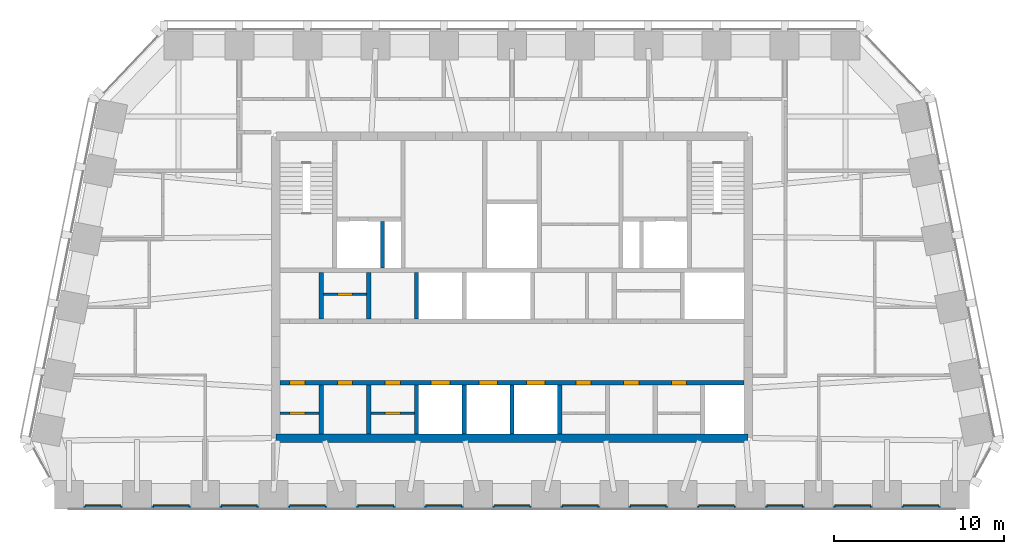
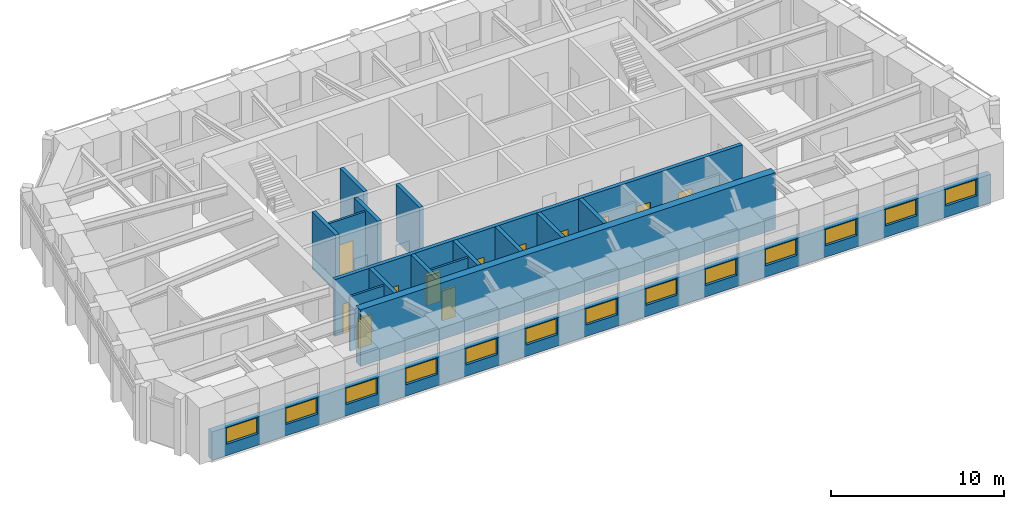
# One storey, part 4 of 9: 16 walls, 13 windows, 12 doors, 25 openings.
"""IFC4 building model written with IfcOpenShell, lengths in metres."""

from ifc_helpers import new_model, si_unit, direction, frame, frame_2d, origin, place, context, subcontext, project, spatial, rectangle, extrude, material, layer, layer_set, type_object, element, fill, save


model = new_model("IFC4")

# Units and contexts
model_context = context("Model", 3, precision=1e-05, world=origin(), true_north=direction((0.0, 1.0)))
body_context = subcontext(model_context, "Body", "Model", "MODEL_VIEW")
ifc_project = project(units=[si_unit("LENGTHUNIT", "METRE"), si_unit("AREAUNIT", "SQUARE_METRE"), si_unit("VOLUMEUNIT", "CUBIC_METRE"), si_unit("PLANEANGLEUNIT", "RADIAN"), si_unit("MASSUNIT", "GRAM", prefix="KILO")], contexts=[model_context])

# Site, building, storey
site_placement = place(None, origin())
site = spatial("IfcSite", under=ifc_project, at=site_placement, CompositionType="ELEMENT")
building_placement = place(site_placement, origin())
building = spatial("IfcBuilding", under=site, at=building_placement, Name="Isbrekke Arena Tower", CompositionType="ELEMENT")
storey_placement = place(building_placement, frame((0.0, 0.0, 316.0)))
storey = spatial("IfcBuildingStorey", under=building, at=storey_placement, Name="L74", CompositionType="ELEMENT", Elevation=316.0)

# Wall
ifc_material_1 = material(Name="Concrete B55 (C55/67)", Category="concrete")
ifc_layer_1 = layer(ifc_material_1, 0.5)
ifc_layer_set_1 = layer_set([ifc_layer_1], Name="CW5 CORE WALL 500")
wall_type_1 = type_object("IfcWallType", Name="CW5 CORE WALL 500", PredefinedType="SHEAR", material=ifc_layer_set_1)
wall_1_placement = place(storey_placement, frame((-13.85009765625, 6.14990234375, 0.0), z_axis=(0.0, 0.0, 1.0), x_axis=(1.0, 0.0, 0.0)))
element("IfcWall", 1, at=wall_1_placement, inside=storey, type_object=wall_type_1, Name="Core wall S L74", PredefinedType="SHEAR", context=body_context, shape_type="SweptSolid", body=[
    extrude(rectangle(XDim=27.7001953125, YDim=0.5, at=frame_2d((13.85009765625, 0.0))), origin(), (0.0, 0.0, 1.0), 4.0),
])

# Wall, openings, doors
ifc_material_2 = material(Name="Concrete B45 (C45/55)", Category="concrete")
ifc_layer_2 = layer(ifc_material_2, 0.25)
ifc_layer_set_2 = layer_set([ifc_layer_2], Name="CW6 SHAFT WALL 250")
wall_type_2 = type_object("IfcWallType", Name="CW6 SHAFT WALL 250", PredefinedType="SHEAR", material=ifc_layer_set_2)
wall_2_placement = place(storey_placement, frame((-13.60009765625, 9.39990234375, 0.0), z_axis=(0.0, 0.0, 1.0), x_axis=(1.0, 0.0, 0.0)))
wall_2 = element("IfcWall", 2, at=wall_2_placement, inside=storey, type_object=wall_type_2, Name="Core wall LS L74", PredefinedType="SHEAR", context=body_context, shape_type="SweptSolid", body=[
    extrude(rectangle(XDim=27.2001953125, YDim=0.25, at=frame_2d((13.60009765625, 0.0))), origin(), (0.0, 0.0, 1.0), 4.0),
])
opening_1_placement = place(wall_2_placement, frame((8.85009765625, 0.0, 0.0)))
opening_1 = element("IfcOpeningElement", 3, at=opening_1_placement, cuts=wall_2, Name="Opening LD1", PredefinedType="OPENING", context=body_context, shape_type="SweptSolid", body=[
    extrude(rectangle(XDim=1.10009765625, YDim=2.10009765625, at=frame_2d((0.550048828125, 1.050048828125))), frame((0.0, 0.139892578125, 0.0), z_axis=(0.0, -1.0, 0.0), x_axis=(1.0, 0.0, 0.0)), (0.0, 0.0, 1.0), 0.27978515625),
])
opening_2_placement = place(wall_2_placement, frame((11.64990234375, 0.0, 0.0)))
opening_2 = element("IfcOpeningElement", 4, at=opening_2_placement, cuts=wall_2, Name="Opening LD1", PredefinedType="OPENING", context=body_context, shape_type="SweptSolid", body=[
    extrude(rectangle(XDim=1.10009765625, YDim=2.10009765625, at=frame_2d((0.550048828125, 1.050048828125))), frame((0.0, 0.139892578125, 0.0), z_axis=(0.0, -1.0, 0.0), x_axis=(1.0, 0.0, 0.0)), (0.0, 0.0, 1.0), 0.27978515625),
])
opening_3_placement = place(wall_2_placement, frame((14.449951171875, 0.0, 0.0)))
opening_3 = element("IfcOpeningElement", 5, at=opening_3_placement, cuts=wall_2, Name="Opening LD1", PredefinedType="OPENING", context=body_context, shape_type="SweptSolid", body=[
    extrude(rectangle(XDim=1.10009765625, YDim=2.10009765625, at=frame_2d((0.550048828125, 1.050048828125))), frame((0.0, 0.139892578125, 0.0), z_axis=(0.0, -1.0, 0.0), x_axis=(1.0, 0.0, 0.0)), (0.0, 0.0, 1.0), 0.27978515625),
])
opening_4_placement = place(wall_2_placement, frame((0.550048828125, 0.0, 0.0)))
opening_4 = element("IfcOpeningElement", 6, at=opening_4_placement, cuts=wall_2, Name="Opening D5", PredefinedType="OPENING", context=body_context, shape_type="SweptSolid", body=[
    extrude(rectangle(XDim=0.89990234375, YDim=2.10009765625, at=frame_2d((0.449951171875, 1.050048828125))), frame((0.0, 0.139892578125, 0.0), z_axis=(0.0, -1.0, 0.0), x_axis=(1.0, 0.0, 0.0)), (0.0, 0.0, 1.0), 0.27978515625),
])
opening_5_placement = place(wall_2_placement, frame((3.35009765625, 0.0, 0.0)))
opening_5 = element("IfcOpeningElement", 7, at=opening_5_placement, cuts=wall_2, Name="Opening D5", PredefinedType="OPENING", context=body_context, shape_type="SweptSolid", body=[
    extrude(rectangle(XDim=0.89990234375, YDim=2.10009765625, at=frame_2d((0.449951171875, 1.050048828125))), frame((0.0, 0.139892578125, 0.0), z_axis=(0.0, -1.0, 0.0), x_axis=(1.0, 0.0, 0.0)), (0.0, 0.0, 1.0), 0.27978515625),
])
opening_6_placement = place(wall_2_placement, frame((6.14990234375, 0.0, 0.0)))
opening_6 = element("IfcOpeningElement", 8, at=opening_6_placement, cuts=wall_2, Name="Opening D5", PredefinedType="OPENING", context=body_context, shape_type="SweptSolid", body=[
    extrude(rectangle(XDim=0.89990234375, YDim=2.10009765625, at=frame_2d((0.449951171875, 1.050048828125))), frame((0.0, 0.139892578125, 0.0), z_axis=(0.0, -1.0, 0.0), x_axis=(1.0, 0.0, 0.0)), (0.0, 0.0, 1.0), 0.27978515625),
])
opening_7_placement = place(wall_2_placement, frame((17.35009765625, 0.0, 0.0)))
opening_7 = element("IfcOpeningElement", 9, at=opening_7_placement, cuts=wall_2, Name="Opening D5", PredefinedType="OPENING", context=body_context, shape_type="SweptSolid", body=[
    extrude(rectangle(XDim=0.89990234375, YDim=2.10009765625, at=frame_2d((0.449951171875, 1.050048828125))), frame((0.0, 0.139892578125, 0.0), z_axis=(0.0, -1.0, 0.0), x_axis=(1.0, 0.0, 0.0)), (0.0, 0.0, 1.0), 0.27978515625),
])
opening_8_placement = place(wall_2_placement, frame((20.14990234375, 0.0, 0.0)))
opening_8 = element("IfcOpeningElement", 10, at=opening_8_placement, cuts=wall_2, Name="Opening D5", PredefinedType="OPENING", context=body_context, shape_type="SweptSolid", body=[
    extrude(rectangle(XDim=0.89990234375, YDim=2.10009765625, at=frame_2d((0.449951171875, 1.050048828125))), frame((0.0, 0.139892578125, 0.0), z_axis=(0.0, -1.0, 0.0), x_axis=(1.0, 0.0, 0.0)), (0.0, 0.0, 1.0), 0.27978515625),
])
opening_9_placement = place(wall_2_placement, frame((22.949951171875, 0.0, 0.0)))
opening_9 = element("IfcOpeningElement", 11, at=opening_9_placement, cuts=wall_2, Name="Opening D5", PredefinedType="OPENING", context=body_context, shape_type="SweptSolid", body=[
    extrude(rectangle(XDim=0.89990234375, YDim=2.10009765625, at=frame_2d((0.449951171875, 1.050048828125))), frame((0.0, 0.139892578125, 0.0), z_axis=(0.0, -1.0, 0.0), x_axis=(1.0, 0.0, 0.0)), (0.0, 0.0, 1.0), 0.27978515625),
])
ifc_material_3 = material(Name="Steel fire door", Category="steel")
door_type_1 = type_object("IfcDoorType", Name="D5 SERVICE DOOR 900 x 2100", OperationType="SINGLE_SWING_LEFT", PredefinedType="DOOR", material=ifc_material_3)
door_1_placement = place(opening_4_placement, origin())
door_1 = element("IfcDoor", 12, at=door_1_placement, inside=storey, type_object=door_type_1, Name="D5 pantry door L74", OperationType="SINGLE_SWING_LEFT", OverallHeight=2.10009765625, OverallWidth=0.89990234375, PredefinedType="DOOR", context=body_context, shape_type="SweptSolid", body=[
    extrude(rectangle(XDim=0.89990234375, YDim=2.10009765625, at=frame_2d((0.449951171875, 1.050048828125))), frame((0.0, 0.124755859375, 0.0), z_axis=(0.0, -1.0, 0.0), x_axis=(1.0, 0.0, 0.0)), (0.0, 0.0, 1.0), 0.24951171875),
])
fill(opening_4, door_1)
door_2_placement = place(opening_5_placement, origin())
door_2 = element("IfcDoor", 13, at=door_2_placement, inside=storey, type_object=door_type_1, Name="D5 tenant store door L74", OperationType="SINGLE_SWING_LEFT", OverallHeight=2.10009765625, OverallWidth=0.89990234375, PredefinedType="DOOR", context=body_context, shape_type="SweptSolid", body=[
    extrude(rectangle(XDim=0.89990234375, YDim=2.10009765625, at=frame_2d((0.449951171875, 1.050048828125))), frame((0.0, 0.124755859375, 0.0), z_axis=(0.0, -1.0, 0.0), x_axis=(1.0, 0.0, 0.0)), (0.0, 0.0, 1.0), 0.24951171875),
])
fill(opening_5, door_2)
door_3_placement = place(opening_6_placement, origin())
door_3 = element("IfcDoor", 14, at=door_3_placement, inside=storey, type_object=door_type_1, Name="D5 first-aid room door L74", OperationType="SINGLE_SWING_LEFT", OverallHeight=2.10009765625, OverallWidth=0.89990234375, PredefinedType="DOOR", context=body_context, shape_type="SweptSolid", body=[
    extrude(rectangle(XDim=0.89990234375, YDim=2.10009765625, at=frame_2d((0.449951171875, 1.050048828125))), frame((0.0, 0.124755859375, 0.0), z_axis=(0.0, -1.0, 0.0), x_axis=(1.0, 0.0, 0.0)), (0.0, 0.0, 1.0), 0.24951171875),
])
fill(opening_6, door_3)
door_4_placement = place(opening_7_placement, origin())
door_4 = element("IfcDoor", 15, at=door_4_placement, inside=storey, type_object=door_type_1, Name="D5 tea point door L74", OperationType="SINGLE_SWING_LEFT", OverallHeight=2.10009765625, OverallWidth=0.89990234375, PredefinedType="DOOR", context=body_context, shape_type="SweptSolid", body=[
    extrude(rectangle(XDim=0.89990234375, YDim=2.10009765625, at=frame_2d((0.449951171875, 1.050048828125))), frame((0.0, 0.124755859375, 0.0), z_axis=(0.0, -1.0, 0.0), x_axis=(1.0, 0.0, 0.0)), (0.0, 0.0, 1.0), 0.24951171875),
])
fill(opening_7, door_4)
door_5_placement = place(opening_8_placement, origin())
door_5 = element("IfcDoor", 16, at=door_5_placement, inside=storey, type_object=door_type_1, Name="D5 print room door L74", OperationType="SINGLE_SWING_LEFT", OverallHeight=2.10009765625, OverallWidth=0.89990234375, PredefinedType="DOOR", context=body_context, shape_type="SweptSolid", body=[
    extrude(rectangle(XDim=0.89990234375, YDim=2.10009765625, at=frame_2d((0.449951171875, 1.050048828125))), frame((0.0, 0.124755859375, 0.0), z_axis=(0.0, -1.0, 0.0), x_axis=(1.0, 0.0, 0.0)), (0.0, 0.0, 1.0), 0.24951171875),
])
fill(opening_8, door_5)
door_6_placement = place(opening_9_placement, origin())
door_6 = element("IfcDoor", 17, at=door_6_placement, inside=storey, type_object=door_type_1, Name="D5 mothers' room door L74", OperationType="SINGLE_SWING_LEFT", OverallHeight=2.10009765625, OverallWidth=0.89990234375, PredefinedType="DOOR", context=body_context, shape_type="SweptSolid", body=[
    extrude(rectangle(XDim=0.89990234375, YDim=2.10009765625, at=frame_2d((0.449951171875, 1.050048828125))), frame((0.0, 0.124755859375, 0.0), z_axis=(0.0, -1.0, 0.0), x_axis=(1.0, 0.0, 0.0)), (0.0, 0.0, 1.0), 0.24951171875),
])
fill(opening_9, door_6)
ifc_material_4 = material(Name="Stainless steel lift landing door", Category="steel")
door_type_2 = type_object("IfcDoorType", Name="LD1 LIFT LANDING DOOR 1100 x 2100", OperationType="SLIDING_TO_LEFT", PredefinedType="DOOR", material=ifc_material_4)
door_7_placement = place(opening_1_placement, origin())
door_7 = element("IfcDoor", 18, at=door_7_placement, inside=storey, type_object=door_type_2, Name="LD1 lift landing door LE L74", OperationType="SLIDING_TO_LEFT", OverallHeight=2.10009765625, OverallWidth=1.10009765625, PredefinedType="DOOR", context=body_context, shape_type="SweptSolid", body=[
    extrude(rectangle(XDim=1.10009765625, YDim=2.10009765625, at=frame_2d((0.550048828125, 1.050048828125))), frame((0.0, 0.124755859375, 0.0), z_axis=(0.0, -1.0, 0.0), x_axis=(1.0, 0.0, 0.0)), (0.0, 0.0, 1.0), 0.24951171875),
])
fill(opening_1, door_7)
door_8_placement = place(opening_2_placement, origin())
door_8 = element("IfcDoor", 19, at=door_8_placement, inside=storey, type_object=door_type_2, Name="LD1 lift landing door LE L74", OperationType="SLIDING_TO_LEFT", OverallHeight=2.10009765625, OverallWidth=1.10009765625, PredefinedType="DOOR", context=body_context, shape_type="SweptSolid", body=[
    extrude(rectangle(XDim=1.10009765625, YDim=2.10009765625, at=frame_2d((0.550048828125, 1.050048828125))), frame((0.0, 0.124755859375, 0.0), z_axis=(0.0, -1.0, 0.0), x_axis=(1.0, 0.0, 0.0)), (0.0, 0.0, 1.0), 0.24951171875),
])
fill(opening_2, door_8)
door_9_placement = place(opening_3_placement, origin())
door_9 = element("IfcDoor", 20, at=door_9_placement, inside=storey, type_object=door_type_2, Name="LD1 lift landing door LE L74", OperationType="SLIDING_TO_LEFT", OverallHeight=2.10009765625, OverallWidth=1.10009765625, PredefinedType="DOOR", context=body_context, shape_type="SweptSolid", body=[
    extrude(rectangle(XDim=1.10009765625, YDim=2.10009765625, at=frame_2d((0.550048828125, 1.050048828125))), frame((0.0, 0.124755859375, 0.0), z_axis=(0.0, -1.0, 0.0), x_axis=(1.0, 0.0, 0.0)), (0.0, 0.0, 1.0), 0.24951171875),
])
fill(opening_3, door_9)

# Walls
for number, where, z_axis, x_axis, name in (
    (21, (-11.199951171875, 6.39990234375, 0.0), (0.0, 0.0, 1.0), (0.0, 1.0, 0.0), "Core wall SS01 L74"),
    (22, (-8.39990234375, 6.39990234375, 0.0), (0.0, 0.0, 1.0), (0.0, 1.0, 0.0), "Core wall SS02 L74"),
    (23, (-5.60009765625, 6.39990234375, 0.0), (0.0, 0.0, 1.0), (0.0, 1.0, 0.0), "Core wall SS03 L74"),
    (24, (-2.800048828125, 6.39990234375, 0.0), (0.0, 0.0, 1.0), (0.0, 1.0, 0.0), "Core wall SS04 L74"),
    (25, (0.0, 6.39990234375, 0.0), (0.0, 0.0, 1.0), (0.0, 1.0, 0.0), "Core wall SS05 L74"),
    (26, (2.800048828125, 6.39990234375, 0.0), (0.0, 0.0, 1.0), (0.0, 1.0, 0.0), "Core wall SS06 L74"),
):
    element("IfcWall", number, at=place(storey_placement, frame(where, z_axis=z_axis, x_axis=x_axis)), inside=storey, type_object=wall_type_2, Name=name, PredefinedType="SHEAR", context=body_context, shape_type="SweptSolid", body=[
        extrude(rectangle(XDim=2.875, YDim=0.25, at=frame_2d((1.4375, 0.0))), origin(), (0.0, 0.0, 1.0), 4.0),
    ])
for number, where, z_axis, x_axis, name in (
    (27, (-11.199951171875, 13.125, 0.0), (0.0, 0.0, 1.0), (0.0, 1.0, 0.0), "Core wall SN01 L74"),
    (28, (-8.39990234375, 13.125, 0.0), (0.0, 0.0, 1.0), (0.0, 1.0, 0.0), "Core wall SN02 L74"),
    (29, (-5.60009765625, 13.125, 0.0), (0.0, 0.0, 1.0), (0.0, 1.0, 0.0), "Core wall SN03 L74"),
    (30, (-7.60009765625, 16.125, 0.0), (0.0, 0.0, 1.0), (0.0, 1.0, 0.0), "Core wall NFS1 L74"),
):
    element("IfcWall", number, at=place(storey_placement, frame(where, z_axis=z_axis, x_axis=x_axis)), inside=storey, type_object=wall_type_2, Name=name, PredefinedType="SHEAR", context=body_context, shape_type="SweptSolid", body=[
        extrude(rectangle(XDim=2.75, YDim=0.25, at=frame_2d((1.375, 0.0))), origin(), (0.0, 0.0, 1.0), 4.0),
    ])

# Wall, openings, windows
ifc_material_5 = material(Name="Copper cladding on insulated framing", Category="metal")
ifc_layer_3 = layer(ifc_material_5, 0.39990234375)
ifc_layer_set_3 = layer_set([ifc_layer_3], Name="EW2 COPPER-CLAD WALL 400")
wall_type_3 = type_object("IfcWallType", Name="EW2 COPPER-CLAD WALL 400", PredefinedType="SOLIDWALL", material=ifc_layer_set_3)
wall_3_placement = place(storey_placement, frame((-26.0, 2.199951171875, 0.0), z_axis=(0.0, 0.0, 1.0), x_axis=(1.0, 0.0, 0.0)))
wall_3 = element("IfcWall", 31, at=wall_3_placement, inside=storey, type_object=wall_type_3, Name="EW2 terrace wall L74", PredefinedType="SOLIDWALL", context=body_context, shape_type="SweptSolid", body=[
    extrude(rectangle(XDim=52.0, YDim=0.39990234375, at=frame_2d((26.0, 0.0))), origin(), (0.0, 0.0, 1.0), 2.0),
])
opening_10_placement = place(wall_3_placement, frame((0.949951171875, 0.0, 0.800048828125)))
opening_10 = element("IfcOpeningElement", 32, at=opening_10_placement, cuts=wall_3, Name="Opening WN1", PredefinedType="OPENING", context=body_context, shape_type="SweptSolid", body=[
    extrude(rectangle(XDim=2.10009765625, YDim=1.14990234375, at=frame_2d((1.050048828125, 0.574951171875))), frame((0.0, 0.21484375, 0.0), z_axis=(0.0, -1.0, 0.0), x_axis=(1.0, 0.0, 0.0)), (0.0, 0.0, 1.0), 0.4296875),
])
opening_11_placement = place(wall_3_placement, frame((4.949951171875, 0.0, 0.800048828125)))
opening_11 = element("IfcOpeningElement", 33, at=opening_11_placement, cuts=wall_3, Name="Opening WN1", PredefinedType="OPENING", context=body_context, shape_type="SweptSolid", body=[
    extrude(rectangle(XDim=2.10009765625, YDim=1.14990234375, at=frame_2d((1.050048828125, 0.574951171875))), frame((0.0, 0.21484375, 0.0), z_axis=(0.0, -1.0, 0.0), x_axis=(1.0, 0.0, 0.0)), (0.0, 0.0, 1.0), 0.4296875),
])
opening_12_placement = place(wall_3_placement, frame((8.949951171875, 0.0, 0.800048828125)))
opening_12 = element("IfcOpeningElement", 34, at=opening_12_placement, cuts=wall_3, Name="Opening WN1", PredefinedType="OPENING", context=body_context, shape_type="SweptSolid", body=[
    extrude(rectangle(XDim=2.10009765625, YDim=1.14990234375, at=frame_2d((1.050048828125, 0.574951171875))), frame((0.0, 0.21484375, 0.0), z_axis=(0.0, -1.0, 0.0), x_axis=(1.0, 0.0, 0.0)), (0.0, 0.0, 1.0), 0.4296875),
])
opening_13_placement = place(wall_3_placement, frame((12.949951171875, 0.0, 0.800048828125)))
opening_13 = element("IfcOpeningElement", 35, at=opening_13_placement, cuts=wall_3, Name="Opening WN1", PredefinedType="OPENING", context=body_context, shape_type="SweptSolid", body=[
    extrude(rectangle(XDim=2.10009765625, YDim=1.14990234375, at=frame_2d((1.050048828125, 0.574951171875))), frame((0.0, 0.21484375, 0.0), z_axis=(0.0, -1.0, 0.0), x_axis=(1.0, 0.0, 0.0)), (0.0, 0.0, 1.0), 0.4296875),
])
opening_14_placement = place(wall_3_placement, frame((16.949951171875, 0.0, 0.800048828125)))
opening_14 = element("IfcOpeningElement", 36, at=opening_14_placement, cuts=wall_3, Name="Opening WN1", PredefinedType="OPENING", context=body_context, shape_type="SweptSolid", body=[
    extrude(rectangle(XDim=2.10009765625, YDim=1.14990234375, at=frame_2d((1.050048828125, 0.574951171875))), frame((0.0, 0.21484375, 0.0), z_axis=(0.0, -1.0, 0.0), x_axis=(1.0, 0.0, 0.0)), (0.0, 0.0, 1.0), 0.4296875),
])
opening_15_placement = place(wall_3_placement, frame((20.949951171875, 0.0, 0.800048828125)))
opening_15 = element("IfcOpeningElement", 37, at=opening_15_placement, cuts=wall_3, Name="Opening WN1", PredefinedType="OPENING", context=body_context, shape_type="SweptSolid", body=[
    extrude(rectangle(XDim=2.10009765625, YDim=1.14990234375, at=frame_2d((1.050048828125, 0.574951171875))), frame((0.0, 0.21484375, 0.0), z_axis=(0.0, -1.0, 0.0), x_axis=(1.0, 0.0, 0.0)), (0.0, 0.0, 1.0), 0.4296875),
])
opening_16_placement = place(wall_3_placement, frame((24.949951171875, 0.0, 0.800048828125)))
opening_16 = element("IfcOpeningElement", 38, at=opening_16_placement, cuts=wall_3, Name="Opening WN1", PredefinedType="OPENING", context=body_context, shape_type="SweptSolid", body=[
    extrude(rectangle(XDim=2.10009765625, YDim=1.14990234375, at=frame_2d((1.050048828125, 0.574951171875))), frame((0.0, 0.21484375, 0.0), z_axis=(0.0, -1.0, 0.0), x_axis=(1.0, 0.0, 0.0)), (0.0, 0.0, 1.0), 0.4296875),
])
opening_17_placement = place(wall_3_placement, frame((28.949951171875, 0.0, 0.800048828125)))
opening_17 = element("IfcOpeningElement", 39, at=opening_17_placement, cuts=wall_3, Name="Opening WN1", PredefinedType="OPENING", context=body_context, shape_type="SweptSolid", body=[
    extrude(rectangle(XDim=2.10009765625, YDim=1.14990234375, at=frame_2d((1.050048828125, 0.574951171875))), frame((0.0, 0.21484375, 0.0), z_axis=(0.0, -1.0, 0.0), x_axis=(1.0, 0.0, 0.0)), (0.0, 0.0, 1.0), 0.4296875),
])
opening_18_placement = place(wall_3_placement, frame((32.949951171875, 0.0, 0.800048828125)))
opening_18 = element("IfcOpeningElement", 40, at=opening_18_placement, cuts=wall_3, Name="Opening WN1", PredefinedType="OPENING", context=body_context, shape_type="SweptSolid", body=[
    extrude(rectangle(XDim=2.10009765625, YDim=1.14990234375, at=frame_2d((1.050048828125, 0.574951171875))), frame((0.0, 0.21484375, 0.0), z_axis=(0.0, -1.0, 0.0), x_axis=(1.0, 0.0, 0.0)), (0.0, 0.0, 1.0), 0.4296875),
])
opening_19_placement = place(wall_3_placement, frame((36.949951171875, 0.0, 0.800048828125)))
opening_19 = element("IfcOpeningElement", 41, at=opening_19_placement, cuts=wall_3, Name="Opening WN1", PredefinedType="OPENING", context=body_context, shape_type="SweptSolid", body=[
    extrude(rectangle(XDim=2.10009765625, YDim=1.14990234375, at=frame_2d((1.050048828125, 0.574951171875))), frame((0.0, 0.21484375, 0.0), z_axis=(0.0, -1.0, 0.0), x_axis=(1.0, 0.0, 0.0)), (0.0, 0.0, 1.0), 0.4296875),
])
opening_20_placement = place(wall_3_placement, frame((40.949951171875, 0.0, 0.800048828125)))
opening_20 = element("IfcOpeningElement", 42, at=opening_20_placement, cuts=wall_3, Name="Opening WN1", PredefinedType="OPENING", context=body_context, shape_type="SweptSolid", body=[
    extrude(rectangle(XDim=2.10009765625, YDim=1.14990234375, at=frame_2d((1.050048828125, 0.574951171875))), frame((0.0, 0.21484375, 0.0), z_axis=(0.0, -1.0, 0.0), x_axis=(1.0, 0.0, 0.0)), (0.0, 0.0, 1.0), 0.4296875),
])
opening_21_placement = place(wall_3_placement, frame((44.949951171875, 0.0, 0.800048828125)))
opening_21 = element("IfcOpeningElement", 43, at=opening_21_placement, cuts=wall_3, Name="Opening WN1", PredefinedType="OPENING", context=body_context, shape_type="SweptSolid", body=[
    extrude(rectangle(XDim=2.10009765625, YDim=1.14990234375, at=frame_2d((1.050048828125, 0.574951171875))), frame((0.0, 0.21484375, 0.0), z_axis=(0.0, -1.0, 0.0), x_axis=(1.0, 0.0, 0.0)), (0.0, 0.0, 1.0), 0.4296875),
])
opening_22_placement = place(wall_3_placement, frame((48.949951171875, 0.0, 0.800048828125)))
opening_22 = element("IfcOpeningElement", 44, at=opening_22_placement, cuts=wall_3, Name="Opening WN1", PredefinedType="OPENING", context=body_context, shape_type="SweptSolid", body=[
    extrude(rectangle(XDim=2.10009765625, YDim=1.14990234375, at=frame_2d((1.050048828125, 0.574951171875))), frame((0.0, 0.21484375, 0.0), z_axis=(0.0, -1.0, 0.0), x_axis=(1.0, 0.0, 0.0)), (0.0, 0.0, 1.0), 0.4296875),
])
ifc_material_6 = material(Name="Timber-aluminium window, triple glazed", Category="wood")
window_type = type_object("IfcWindowType", Name="WN1 TERRACE WINDOW 2100 x 1150", PartitioningType="SINGLE_PANEL", PredefinedType="WINDOW", material=ifc_material_6)
window_1_placement = place(opening_10_placement, origin())
window_1 = element("IfcWindow", 45, at=window_1_placement, inside=storey, type_object=window_type, Name="WN1 terrace window L74-1", OverallHeight=1.14990234375, OverallWidth=2.10009765625, PartitioningType="SINGLE_PANEL", PredefinedType="WINDOW", context=body_context, shape_type="SweptSolid", body=[
    extrude(rectangle(XDim=2.10009765625, YDim=1.14990234375, at=frame_2d((1.050048828125, 0.574951171875))), frame((0.0, 0.030029296875, 0.0), z_axis=(0.0, -1.0, 0.0), x_axis=(1.0, 0.0, 0.0)), (0.0, 0.0, 1.0), 0.06005859375),
])
fill(opening_10, window_1)
window_2_placement = place(opening_11_placement, origin())
window_2 = element("IfcWindow", 46, at=window_2_placement, inside=storey, type_object=window_type, Name="WN1 terrace window L74-2", OverallHeight=1.14990234375, OverallWidth=2.10009765625, PartitioningType="SINGLE_PANEL", PredefinedType="WINDOW", context=body_context, shape_type="SweptSolid", body=[
    extrude(rectangle(XDim=2.10009765625, YDim=1.14990234375, at=frame_2d((1.050048828125, 0.574951171875))), frame((0.0, 0.030029296875, 0.0), z_axis=(0.0, -1.0, 0.0), x_axis=(1.0, 0.0, 0.0)), (0.0, 0.0, 1.0), 0.06005859375),
])
fill(opening_11, window_2)
window_3_placement = place(opening_12_placement, origin())
window_3 = element("IfcWindow", 47, at=window_3_placement, inside=storey, type_object=window_type, Name="WN1 terrace window L74-3", OverallHeight=1.14990234375, OverallWidth=2.10009765625, PartitioningType="SINGLE_PANEL", PredefinedType="WINDOW", context=body_context, shape_type="SweptSolid", body=[
    extrude(rectangle(XDim=2.10009765625, YDim=1.14990234375, at=frame_2d((1.050048828125, 0.574951171875))), frame((0.0, 0.030029296875, 0.0), z_axis=(0.0, -1.0, 0.0), x_axis=(1.0, 0.0, 0.0)), (0.0, 0.0, 1.0), 0.06005859375),
])
fill(opening_12, window_3)
window_4_placement = place(opening_13_placement, origin())
window_4 = element("IfcWindow", 48, at=window_4_placement, inside=storey, type_object=window_type, Name="WN1 terrace window L74-4", OverallHeight=1.14990234375, OverallWidth=2.10009765625, PartitioningType="SINGLE_PANEL", PredefinedType="WINDOW", context=body_context, shape_type="SweptSolid", body=[
    extrude(rectangle(XDim=2.10009765625, YDim=1.14990234375, at=frame_2d((1.050048828125, 0.574951171875))), frame((0.0, 0.030029296875, 0.0), z_axis=(0.0, -1.0, 0.0), x_axis=(1.0, 0.0, 0.0)), (0.0, 0.0, 1.0), 0.06005859375),
])
fill(opening_13, window_4)
window_5_placement = place(opening_14_placement, origin())
window_5 = element("IfcWindow", 49, at=window_5_placement, inside=storey, type_object=window_type, Name="WN1 terrace window L74-5", OverallHeight=1.14990234375, OverallWidth=2.10009765625, PartitioningType="SINGLE_PANEL", PredefinedType="WINDOW", context=body_context, shape_type="SweptSolid", body=[
    extrude(rectangle(XDim=2.10009765625, YDim=1.14990234375, at=frame_2d((1.050048828125, 0.574951171875))), frame((0.0, 0.030029296875, 0.0), z_axis=(0.0, -1.0, 0.0), x_axis=(1.0, 0.0, 0.0)), (0.0, 0.0, 1.0), 0.06005859375),
])
fill(opening_14, window_5)
window_6_placement = place(opening_15_placement, origin())
window_6 = element("IfcWindow", 50, at=window_6_placement, inside=storey, type_object=window_type, Name="WN1 terrace window L74-6", OverallHeight=1.14990234375, OverallWidth=2.10009765625, PartitioningType="SINGLE_PANEL", PredefinedType="WINDOW", context=body_context, shape_type="SweptSolid", body=[
    extrude(rectangle(XDim=2.10009765625, YDim=1.14990234375, at=frame_2d((1.050048828125, 0.574951171875))), frame((0.0, 0.030029296875, 0.0), z_axis=(0.0, -1.0, 0.0), x_axis=(1.0, 0.0, 0.0)), (0.0, 0.0, 1.0), 0.06005859375),
])
fill(opening_15, window_6)
window_7_placement = place(opening_16_placement, origin())
window_7 = element("IfcWindow", 51, at=window_7_placement, inside=storey, type_object=window_type, Name="WN1 terrace window L74-7", OverallHeight=1.14990234375, OverallWidth=2.10009765625, PartitioningType="SINGLE_PANEL", PredefinedType="WINDOW", context=body_context, shape_type="SweptSolid", body=[
    extrude(rectangle(XDim=2.10009765625, YDim=1.14990234375, at=frame_2d((1.050048828125, 0.574951171875))), frame((0.0, 0.030029296875, 0.0), z_axis=(0.0, -1.0, 0.0), x_axis=(1.0, 0.0, 0.0)), (0.0, 0.0, 1.0), 0.06005859375),
])
fill(opening_16, window_7)
window_8_placement = place(opening_17_placement, origin())
window_8 = element("IfcWindow", 52, at=window_8_placement, inside=storey, type_object=window_type, Name="WN1 terrace window L74-8", OverallHeight=1.14990234375, OverallWidth=2.10009765625, PartitioningType="SINGLE_PANEL", PredefinedType="WINDOW", context=body_context, shape_type="SweptSolid", body=[
    extrude(rectangle(XDim=2.10009765625, YDim=1.14990234375, at=frame_2d((1.050048828125, 0.574951171875))), frame((0.0, 0.030029296875, 0.0), z_axis=(0.0, -1.0, 0.0), x_axis=(1.0, 0.0, 0.0)), (0.0, 0.0, 1.0), 0.06005859375),
])
fill(opening_17, window_8)
window_9_placement = place(opening_18_placement, origin())
window_9 = element("IfcWindow", 53, at=window_9_placement, inside=storey, type_object=window_type, Name="WN1 terrace window L74-9", OverallHeight=1.14990234375, OverallWidth=2.10009765625, PartitioningType="SINGLE_PANEL", PredefinedType="WINDOW", context=body_context, shape_type="SweptSolid", body=[
    extrude(rectangle(XDim=2.10009765625, YDim=1.14990234375, at=frame_2d((1.050048828125, 0.574951171875))), frame((0.0, 0.030029296875, 0.0), z_axis=(0.0, -1.0, 0.0), x_axis=(1.0, 0.0, 0.0)), (0.0, 0.0, 1.0), 0.06005859375),
])
fill(opening_18, window_9)
window_10_placement = place(opening_19_placement, origin())
window_10 = element("IfcWindow", 54, at=window_10_placement, inside=storey, type_object=window_type, Name="WN1 terrace window L74-10", OverallHeight=1.14990234375, OverallWidth=2.10009765625, PartitioningType="SINGLE_PANEL", PredefinedType="WINDOW", context=body_context, shape_type="SweptSolid", body=[
    extrude(rectangle(XDim=2.10009765625, YDim=1.14990234375, at=frame_2d((1.050048828125, 0.574951171875))), frame((0.0, 0.030029296875, 0.0), z_axis=(0.0, -1.0, 0.0), x_axis=(1.0, 0.0, 0.0)), (0.0, 0.0, 1.0), 0.06005859375),
])
fill(opening_19, window_10)
window_11_placement = place(opening_20_placement, origin())
window_11 = element("IfcWindow", 55, at=window_11_placement, inside=storey, type_object=window_type, Name="WN1 terrace window L74-11", OverallHeight=1.14990234375, OverallWidth=2.10009765625, PartitioningType="SINGLE_PANEL", PredefinedType="WINDOW", context=body_context, shape_type="SweptSolid", body=[
    extrude(rectangle(XDim=2.10009765625, YDim=1.14990234375, at=frame_2d((1.050048828125, 0.574951171875))), frame((0.0, 0.030029296875, 0.0), z_axis=(0.0, -1.0, 0.0), x_axis=(1.0, 0.0, 0.0)), (0.0, 0.0, 1.0), 0.06005859375),
])
fill(opening_20, window_11)
window_12_placement = place(opening_21_placement, origin())
window_12 = element("IfcWindow", 56, at=window_12_placement, inside=storey, type_object=window_type, Name="WN1 terrace window L74-12", OverallHeight=1.14990234375, OverallWidth=2.10009765625, PartitioningType="SINGLE_PANEL", PredefinedType="WINDOW", context=body_context, shape_type="SweptSolid", body=[
    extrude(rectangle(XDim=2.10009765625, YDim=1.14990234375, at=frame_2d((1.050048828125, 0.574951171875))), frame((0.0, 0.030029296875, 0.0), z_axis=(0.0, -1.0, 0.0), x_axis=(1.0, 0.0, 0.0)), (0.0, 0.0, 1.0), 0.06005859375),
])
fill(opening_21, window_12)
window_13_placement = place(opening_22_placement, origin())
window_13 = element("IfcWindow", 57, at=window_13_placement, inside=storey, type_object=window_type, Name="WN1 terrace window L74-13", OverallHeight=1.14990234375, OverallWidth=2.10009765625, PartitioningType="SINGLE_PANEL", PredefinedType="WINDOW", context=body_context, shape_type="SweptSolid", body=[
    extrude(rectangle(XDim=2.10009765625, YDim=1.14990234375, at=frame_2d((1.050048828125, 0.574951171875))), frame((0.0, 0.030029296875, 0.0), z_axis=(0.0, -1.0, 0.0), x_axis=(1.0, 0.0, 0.0)), (0.0, 0.0, 1.0), 0.06005859375),
])
fill(opening_22, window_13)

# Wall, opening, door
ifc_material_7 = material(Name="Gypsum board fire-rated partition on steel studs, two layers each side", Category="steel")
ifc_layer_4 = layer(ifc_material_7, 0.14990234375)
ifc_layer_set_4 = layer_set([ifc_layer_4], Name="IW5 FIRE-RATED PARTITION 150")
wall_type_4 = type_object("IfcWallType", Name="IW5 FIRE-RATED PARTITION 150", PredefinedType="PARTITIONING", material=ifc_layer_set_4)
wall_4_placement = place(storey_placement, frame((-11.074951171875, 14.60009765625, 0.0), z_axis=(0.0, 0.0, 1.0), x_axis=(1.0, 0.0, 0.0)))
wall_4 = element("IfcWall", 58, at=wall_4_placement, inside=storey, type_object=wall_type_4, Name="IW5 fire-rated partition L74 core service rooms 3", PredefinedType="PARTITIONING", context=body_context, shape_type="SweptSolid", body=[
    extrude(rectangle(XDim=2.550048828125, YDim=0.14990234375, at=frame_2d((1.27490234375, 0.0))), origin(), (0.0, 0.0, 1.0), 3.85009765625),
])
opening_23_placement = place(wall_4_placement, frame((0.824951171875, 0.0, 0.0)))
opening_23 = element("IfcOpeningElement", 59, at=opening_23_placement, cuts=wall_4, Name="Opening D5", PredefinedType="OPENING", context=body_context, shape_type="SweptSolid", body=[
    extrude(rectangle(XDim=0.89990234375, YDim=2.10009765625, at=frame_2d((0.449951171875, 1.050048828125))), frame((0.0, 0.08984375, 0.0), z_axis=(0.0, -1.0, 0.0), x_axis=(1.0, 0.0, 0.0)), (0.0, 0.0, 1.0), 0.1796875),
])
door_10_placement = place(opening_23_placement, origin())
door_10 = element("IfcDoor", 60, at=door_10_placement, inside=storey, type_object=door_type_1, Name="D5 store door L74", OperationType="SINGLE_SWING_LEFT", OverallHeight=2.10009765625, OverallWidth=0.89990234375, PredefinedType="DOOR", context=body_context, shape_type="SweptSolid", body=[
    extrude(rectangle(XDim=0.89990234375, YDim=2.10009765625, at=frame_2d((0.449951171875, 1.050048828125))), frame((0.0, 0.07470703125, 0.0), z_axis=(0.0, -1.0, 0.0), x_axis=(1.0, 0.0, 0.0)), (0.0, 0.0, 1.0), 0.1494140625),
])
fill(opening_23, door_10)

wall_5_placement = place(storey_placement, frame((-13.60009765625, 7.60009765625, 0.0), z_axis=(0.0, 0.0, 1.0), x_axis=(1.0, 0.0, 0.0)))
wall_5 = element("IfcWall", 61, at=wall_5_placement, inside=storey, type_object=wall_type_4, Name="IW5 fire-rated partition L74 core service rooms 4", PredefinedType="PARTITIONING", context=body_context, shape_type="SweptSolid", body=[
    extrude(rectangle(XDim=2.275146484375, YDim=0.14990234375, at=frame_2d((1.1376953125, 0.0))), origin(), (0.0, 0.0, 1.0), 3.85009765625),
])
opening_24_placement = place(wall_5_placement, frame((0.550048828125, 0.0, 0.0)))
opening_24 = element("IfcOpeningElement", 62, at=opening_24_placement, cuts=wall_5, Name="Opening D5", PredefinedType="OPENING", context=body_context, shape_type="SweptSolid", body=[
    extrude(rectangle(XDim=0.89990234375, YDim=2.10009765625, at=frame_2d((0.449951171875, 1.050048828125))), frame((0.0, 0.08984375, 0.0), z_axis=(0.0, -1.0, 0.0), x_axis=(1.0, 0.0, 0.0)), (0.0, 0.0, 1.0), 0.1796875),
])
door_11_placement = place(opening_24_placement, origin())
door_11 = element("IfcDoor", 63, at=door_11_placement, inside=storey, type_object=door_type_1, Name="D5 archive door L74", OperationType="SINGLE_SWING_LEFT", OverallHeight=2.10009765625, OverallWidth=0.89990234375, PredefinedType="DOOR", context=body_context, shape_type="SweptSolid", body=[
    extrude(rectangle(XDim=0.89990234375, YDim=2.10009765625, at=frame_2d((0.449951171875, 1.050048828125))), frame((0.0, 0.07470703125, 0.0), z_axis=(0.0, -1.0, 0.0), x_axis=(1.0, 0.0, 0.0)), (0.0, 0.0, 1.0), 0.1494140625),
])
fill(opening_24, door_11)

wall_6_placement = place(storey_placement, frame((-8.27490234375, 7.60009765625, 0.0), z_axis=(0.0, 0.0, 1.0), x_axis=(1.0, 0.0, 0.0)))
wall_6 = element("IfcWall", 64, at=wall_6_placement, inside=storey, type_object=wall_type_4, Name="IW5 fire-rated partition L74 core service rooms 5", PredefinedType="PARTITIONING", context=body_context, shape_type="SweptSolid", body=[
    extrude(rectangle(XDim=2.5498046875, YDim=0.14990234375, at=frame_2d((1.27490234375, 0.0))), origin(), (0.0, 0.0, 1.0), 3.85009765625),
])
opening_25_placement = place(wall_6_placement, frame((0.824951171875, 0.0, 0.0)))
opening_25 = element("IfcOpeningElement", 65, at=opening_25_placement, cuts=wall_6, Name="Opening D5", PredefinedType="OPENING", context=body_context, shape_type="SweptSolid", body=[
    extrude(rectangle(XDim=0.89990234375, YDim=2.10009765625, at=frame_2d((0.449951171875, 1.050048828125))), frame((0.0, 0.08984375, 0.0), z_axis=(0.0, -1.0, 0.0), x_axis=(1.0, 0.0, 0.0)), (0.0, 0.0, 1.0), 0.1796875),
])
door_12_placement = place(opening_25_placement, origin())
door_12 = element("IfcDoor", 66, at=door_12_placement, inside=storey, type_object=door_type_1, Name="D5 tenant store door L74", OperationType="SINGLE_SWING_LEFT", OverallHeight=2.10009765625, OverallWidth=0.89990234375, PredefinedType="DOOR", context=body_context, shape_type="SweptSolid", body=[
    extrude(rectangle(XDim=0.89990234375, YDim=2.10009765625, at=frame_2d((0.449951171875, 1.050048828125))), frame((0.0, 0.07470703125, 0.0), z_axis=(0.0, -1.0, 0.0), x_axis=(1.0, 0.0, 0.0)), (0.0, 0.0, 1.0), 0.1494140625),
])
fill(opening_25, door_12)

save(model, "model.ifc")
